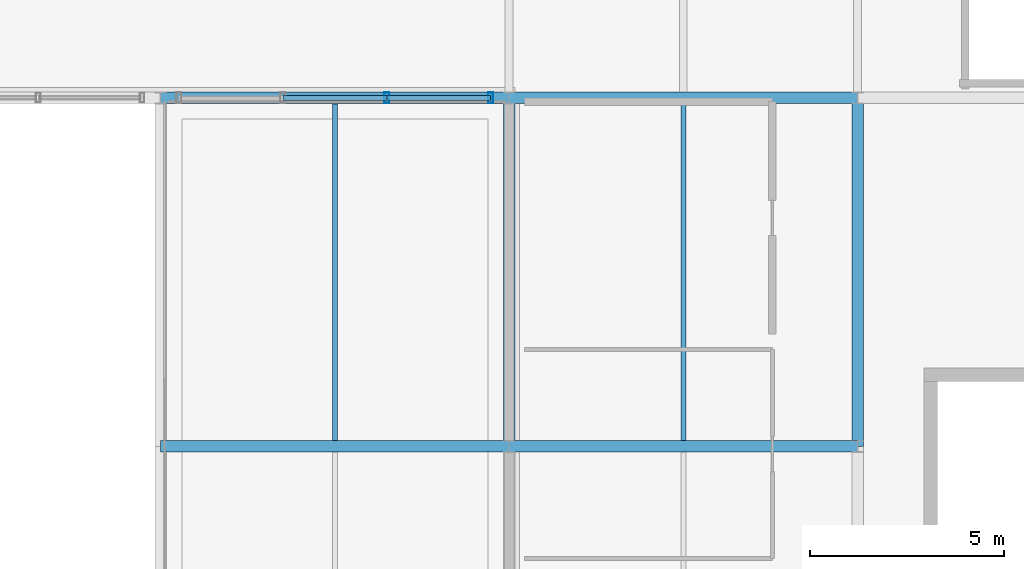
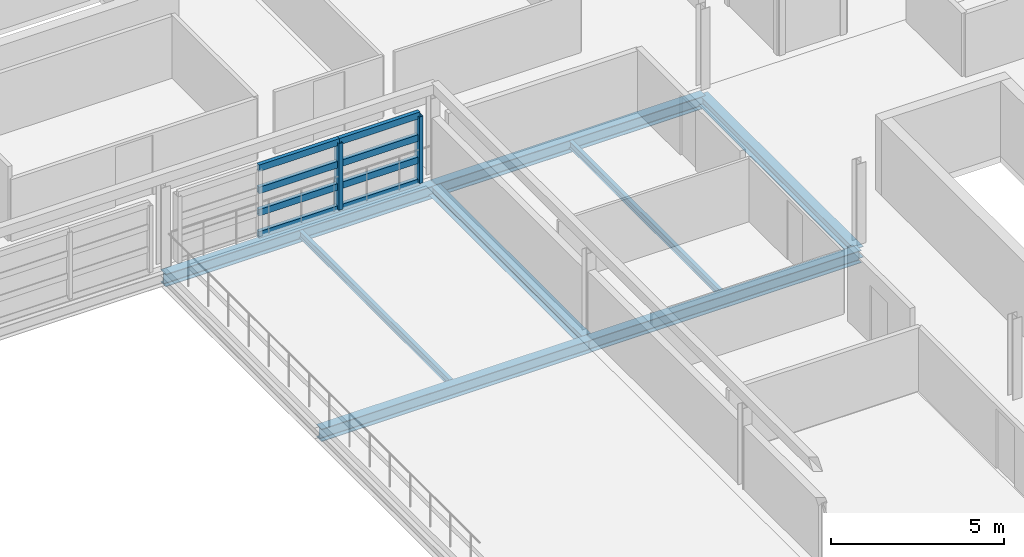
# One storey, part 10 of 27: 10 members, 8 beams, 1 element without a shape of its own.
"""IFC4 building model written with IfcOpenShell, lengths in metres."""

from ifc_helpers import new_model, si_unit, direction, frame, origin, origin_2d, place, context, subcontext, project, spatial, hollow_rectangle, i_section, extrude, material, material_profile, profile_set, type_object, element, aggregate, save


model = new_model("IFC4")

# Units and contexts
model_context = context("Model", 3, precision=1e-05, world=origin(), true_north=direction((0.0, 1.0)))
body_context = subcontext(model_context, "Body", "Model", "MODEL_VIEW")
ifc_project = project(units=[si_unit("LENGTHUNIT", "METRE"), si_unit("AREAUNIT", "SQUARE_METRE"), si_unit("VOLUMEUNIT", "CUBIC_METRE"), si_unit("PLANEANGLEUNIT", "RADIAN"), si_unit("MASSUNIT", "GRAM", prefix="KILO")], contexts=[model_context])

# Site, building, storey
site_placement = place(None, origin())
site = spatial("IfcSite", under=ifc_project, at=site_placement, CompositionType="ELEMENT")
building_placement = place(site_placement, origin())
building = spatial("IfcBuilding", under=site, at=building_placement, Name="Chuanluo Vaults Station", CompositionType="ELEMENT")
storey_placement = place(building_placement, frame((0.0, 0.0, 20.800048828125)))
storey = spatial("IfcBuildingStorey", under=building, at=storey_placement, Name="L05", CompositionType="ELEMENT", Elevation=20.800048828125)

# Beams
ifc_material_1 = material(Name="Steel Q355C", Category="steel")
ifc_material_profile_1 = material_profile(ifc_material_1, i_section(OverallWidth=0.300048828125, OverallDepth=0.389892578125, WebThickness=0.010009765625, FlangeThickness=0.01611328125, FilletRadius=0.02001953125, at=origin_2d()))
ifc_profile_set_1 = profile_set([ifc_material_profile_1], Name="Steel Q355C")
beam_type_1 = type_object("IfcBeamType", Name="BM-GRD-400", PredefinedType="BEAM", material=ifc_profile_set_1)
for number, where, z_axis, x_axis, name in (
    (1, (163.0, 94.5, -0.425048828125), (0.0, 1.0, 0.0), (-1.0, 0.0, 0.0), "Floor girder BM:GY:L05:0998"),
    (2, (172.0, 94.5, -0.4150390625), (0.0, 1.0, 0.0), (-1.0, 0.0, 0.0), "Floor girder BM:GY:L05:1003"),
):
    element("IfcBeam", number, at=place(storey_placement, frame(where, z_axis=z_axis, x_axis=x_axis)), inside=storey, type_object=beam_type_1, Name=name, PredefinedType="BEAM", context=body_context, shape_type="SweptSolid", body=[
        extrude(i_section(OverallWidth=0.300048828125, OverallDepth=0.389892578125, WebThickness=0.010009765625, FlangeThickness=0.01611328125, FilletRadius=0.02001953125, at=origin_2d()), origin(), (0.0, 0.0, 1.0), 9.0),
    ])
ifc_material_2 = material(Name="Steel Q355C", Category="steel")
ifc_material_profile_2 = material_profile(ifc_material_2, i_section(OverallWidth=0.300048828125, OverallDepth=0.43994140625, WebThickness=0.010986328125, FlangeThickness=0.01806640625, FilletRadius=0.02001953125, at=origin_2d()))
ifc_profile_set_2 = profile_set([ifc_material_profile_2], Name="Steel Q355C")
beam_type_2 = type_object("IfcBeamType", Name="BM-GRD-450", PredefinedType="USERDEFINED", material=ifc_profile_set_2)
for number, where, z_axis, x_axis, name in (
    (3, (154.0, 94.5, -0.449951171875), (1.0, 0.0, 0.0), (0.0, 1.0, 0.0), "Floor girder BM:GX:L05:0962"),
    (4, (163.0, 94.5, -0.43994140625), (1.0, 0.0, 0.0), (0.0, 1.0, 0.0), "Floor girder BM:GX:L05:0963"),
    (5, (154.0, 103.5, -0.449951171875), (1.0, 0.0, 0.0), (0.0, 1.0, 0.0), "Floor girder BM:GX:L05:0968"),
    (6, (163.0, 103.5, -0.43994140625), (1.0, 0.0, 0.0), (0.0, 1.0, 0.0), "Floor girder BM:GX:L05:0969"),
):
    element("IfcBeam", number, at=place(storey_placement, frame(where, z_axis=z_axis, x_axis=x_axis)), inside=storey, type_object=beam_type_2, Name=name, ObjectType="GIRDER", PredefinedType="USERDEFINED", context=body_context, shape_type="SweptSolid", body=[
        extrude(i_section(OverallWidth=0.300048828125, OverallDepth=0.43994140625, WebThickness=0.010986328125, FlangeThickness=0.01806640625, FilletRadius=0.02001953125, at=origin_2d()), origin(), (0.0, 0.0, 1.0), 9.0),
    ])
ifc_material_3 = material(Name="Steel Q355C", Category="steel")
ifc_material_profile_3 = material_profile(ifc_material_3, i_section(OverallWidth=0.125, OverallDepth=0.25, WebThickness=0.006103515625, FlangeThickness=0.009033203125, FilletRadius=0.011962890625, at=origin_2d()))
ifc_profile_set_3 = profile_set([ifc_material_profile_3], Name="Steel Q355C")
beam_type_3 = type_object("IfcBeamType", Name="BM-SEC-250", PredefinedType="JOIST", material=ifc_profile_set_3)
for number, where, z_axis, x_axis, name in (
    (7, (158.5, 94.655029296875, -0.35498046875), (0.0, 1.0, 0.0), (-1.0, 0.0, 0.0), "Composite secondary joist 0302"),
    (8, (167.5, 94.655029296875, -0.344970703125), (0.0, 1.0, 0.0), (-1.0, 0.0, 0.0), "Composite secondary joist 0307"),
):
    element("IfcBeam", number, at=place(storey_placement, frame(where, z_axis=z_axis, x_axis=x_axis)), inside=storey, type_object=beam_type_3, Name=name, PredefinedType="JOIST", context=body_context, shape_type="SweptSolid", body=[
        extrude(i_section(OverallWidth=0.125, OverallDepth=0.25, WebThickness=0.006103515625, FlangeThickness=0.009033203125, FilletRadius=0.011962890625, at=origin_2d()), origin(), (0.0, 0.0, 1.0), 8.68994140625),
    ])

# Curtain wall, members
ifc_material_4 = material(Name="Anodised aluminium 6063-T6", Category="aluminium")
curtain_wall_type = type_object("IfcCurtainWallType", Name="CW-SYS-22", PredefinedType="NOTDEFINED", material=ifc_material_4)
curtain_wall_placement = place(storey_placement, origin())
curtain_wall = element("IfcCurtainWall", 9, at=curtain_wall_placement, inside=storey, type_object=curtain_wall_type, Name="Operations L05 facade CW", PredefinedType="NOTDEFINED")
ifc_material_5 = material(Name="Anodised aluminium 6063-T6", Category="aluminium")
ifc_material_profile_4 = material_profile(ifc_material_5, hollow_rectangle(XDim=0.1298828125, YDim=0.280029296875, WallThickness=0.007080078125, at=origin_2d()))
ifc_profile_set_4 = profile_set([ifc_material_profile_4], Name="Anodised aluminium 6063-T6")
member_type_1 = type_object("IfcMemberType", Name="CWM-180", PredefinedType="MULLION", material=ifc_profile_set_4)
member_1_placement = place(storey_placement, frame((162.52490234375, 103.5, 0.0), z_axis=(0.0, 0.0, 1.0), x_axis=(-1.0, 0.0, 0.0)))
member_1 = element("IfcMember", 10, at=member_1_placement, type_object=member_type_1, Name="Operations L05 facade CW mullion 1", PredefinedType="MULLION", context=body_context, shape_type="SweptSolid", body=[
    extrude(hollow_rectangle(XDim=0.1298828125, YDim=0.280029296875, WallThickness=0.007080078125, at=origin_2d()), origin(), (0.0, 0.0, 1.0), 2.349853515625),
])
member_2_placement = place(storey_placement, frame((159.841796875, 103.5, 0.0), z_axis=(0.0, 0.0, 1.0), x_axis=(-1.0, 0.0, 0.0)))
member_2 = element("IfcMember", 11, at=member_2_placement, type_object=member_type_1, Name="Operations L05 facade CW mullion 2", PredefinedType="MULLION", context=body_context, shape_type="SweptSolid", body=[
    extrude(hollow_rectangle(XDim=0.1298828125, YDim=0.280029296875, WallThickness=0.007080078125, at=origin_2d()), origin(), (0.0, 0.0, 1.0), 2.349853515625),
])
ifc_material_6 = material(Name="Anodised aluminium 6063-T6", Category="aluminium")
ifc_material_profile_5 = material_profile(ifc_material_6, hollow_rectangle(XDim=0.1298828125, YDim=0.22998046875, WallThickness=0.006103515625, at=origin_2d()))
ifc_profile_set_5 = profile_set([ifc_material_profile_5], Name="Anodised aluminium 6063-T6")
member_type_2 = type_object("IfcMemberType", Name="CWT-150", PredefinedType="USERDEFINED", material=ifc_profile_set_5)
member_3_placement = place(storey_placement, frame((162.52490234375, 103.5, 0.0), z_axis=(-1.0, 0.0, 0.0), x_axis=(0.0, -1.0, 0.0)))
member_3 = element("IfcMember", 12, at=member_3_placement, type_object=member_type_2, Name="Operations L05 facade CW transom 1.1", ObjectType="TRANSOM", PredefinedType="USERDEFINED", context=body_context, shape_type="SweptSolid", body=[
    extrude(hollow_rectangle(XDim=0.1298828125, YDim=0.22998046875, WallThickness=0.006103515625, at=origin_2d()), origin(), (0.0, 0.0, 1.0), 2.68310546875),
])
member_4_placement = place(storey_placement, frame((162.52490234375, 103.5, 0.783203125), z_axis=(-1.0, 0.0, 0.0), x_axis=(0.0, -1.0, 0.0)))
member_4 = element("IfcMember", 13, at=member_4_placement, type_object=member_type_2, Name="Operations L05 facade CW transom 1.2", ObjectType="TRANSOM", PredefinedType="USERDEFINED", context=body_context, shape_type="SweptSolid", body=[
    extrude(hollow_rectangle(XDim=0.1298828125, YDim=0.22998046875, WallThickness=0.006103515625, at=origin_2d()), origin(), (0.0, 0.0, 1.0), 2.68310546875),
])
member_5_placement = place(storey_placement, frame((162.52490234375, 103.5, 1.566650390625), z_axis=(-1.0, 0.0, 0.0), x_axis=(0.0, -1.0, 0.0)))
member_5 = element("IfcMember", 14, at=member_5_placement, type_object=member_type_2, Name="Operations L05 facade CW transom 1.3", ObjectType="TRANSOM", PredefinedType="USERDEFINED", context=body_context, shape_type="SweptSolid", body=[
    extrude(hollow_rectangle(XDim=0.1298828125, YDim=0.22998046875, WallThickness=0.006103515625, at=origin_2d()), origin(), (0.0, 0.0, 1.0), 2.68310546875),
])
member_6_placement = place(storey_placement, frame((162.52490234375, 103.5, 2.349853515625), z_axis=(-1.0, 0.0, 0.0), x_axis=(0.0, -1.0, 0.0)))
member_6 = element("IfcMember", 15, at=member_6_placement, type_object=member_type_2, Name="Operations L05 facade CW transom 1.4", ObjectType="TRANSOM", PredefinedType="USERDEFINED", context=body_context, shape_type="SweptSolid", body=[
    extrude(hollow_rectangle(XDim=0.1298828125, YDim=0.22998046875, WallThickness=0.006103515625, at=origin_2d()), origin(), (0.0, 0.0, 1.0), 2.68310546875),
])
member_7_placement = place(storey_placement, frame((159.841796875, 103.5, 0.0), z_axis=(-1.0, 0.0, 0.0), x_axis=(0.0, -1.0, 0.0)))
member_7 = element("IfcMember", 16, at=member_7_placement, type_object=member_type_2, Name="Operations L05 facade CW transom 2.1", ObjectType="TRANSOM", PredefinedType="USERDEFINED", context=body_context, shape_type="SweptSolid", body=[
    extrude(hollow_rectangle(XDim=0.1298828125, YDim=0.22998046875, WallThickness=0.006103515625, at=origin_2d()), origin(), (0.0, 0.0, 1.0), 2.68359375),
])
member_8_placement = place(storey_placement, frame((159.841796875, 103.5, 0.783203125), z_axis=(-1.0, 0.0, 0.0), x_axis=(0.0, -1.0, 0.0)))
member_8 = element("IfcMember", 17, at=member_8_placement, type_object=member_type_2, Name="Operations L05 facade CW transom 2.2", ObjectType="TRANSOM", PredefinedType="USERDEFINED", context=body_context, shape_type="SweptSolid", body=[
    extrude(hollow_rectangle(XDim=0.1298828125, YDim=0.22998046875, WallThickness=0.006103515625, at=origin_2d()), origin(), (0.0, 0.0, 1.0), 2.68359375),
])
member_9_placement = place(storey_placement, frame((159.841796875, 103.5, 1.566650390625), z_axis=(-1.0, 0.0, 0.0), x_axis=(0.0, -1.0, 0.0)))
member_9 = element("IfcMember", 18, at=member_9_placement, type_object=member_type_2, Name="Operations L05 facade CW transom 2.3", ObjectType="TRANSOM", PredefinedType="USERDEFINED", context=body_context, shape_type="SweptSolid", body=[
    extrude(hollow_rectangle(XDim=0.1298828125, YDim=0.22998046875, WallThickness=0.006103515625, at=origin_2d()), origin(), (0.0, 0.0, 1.0), 2.68359375),
])
member_10_placement = place(storey_placement, frame((159.841796875, 103.5, 2.349853515625), z_axis=(-1.0, 0.0, 0.0), x_axis=(0.0, -1.0, 0.0)))
member_10 = element("IfcMember", 19, at=member_10_placement, type_object=member_type_2, Name="Operations L05 facade CW transom 2.4", ObjectType="TRANSOM", PredefinedType="USERDEFINED", context=body_context, shape_type="SweptSolid", body=[
    extrude(hollow_rectangle(XDim=0.1298828125, YDim=0.22998046875, WallThickness=0.006103515625, at=origin_2d()), origin(), (0.0, 0.0, 1.0), 2.68359375),
])
aggregate(curtain_wall, [member_1, member_2, member_3, member_4, member_5, member_6, member_7, member_8, member_9, member_10])

save(model, "model.ifc")
